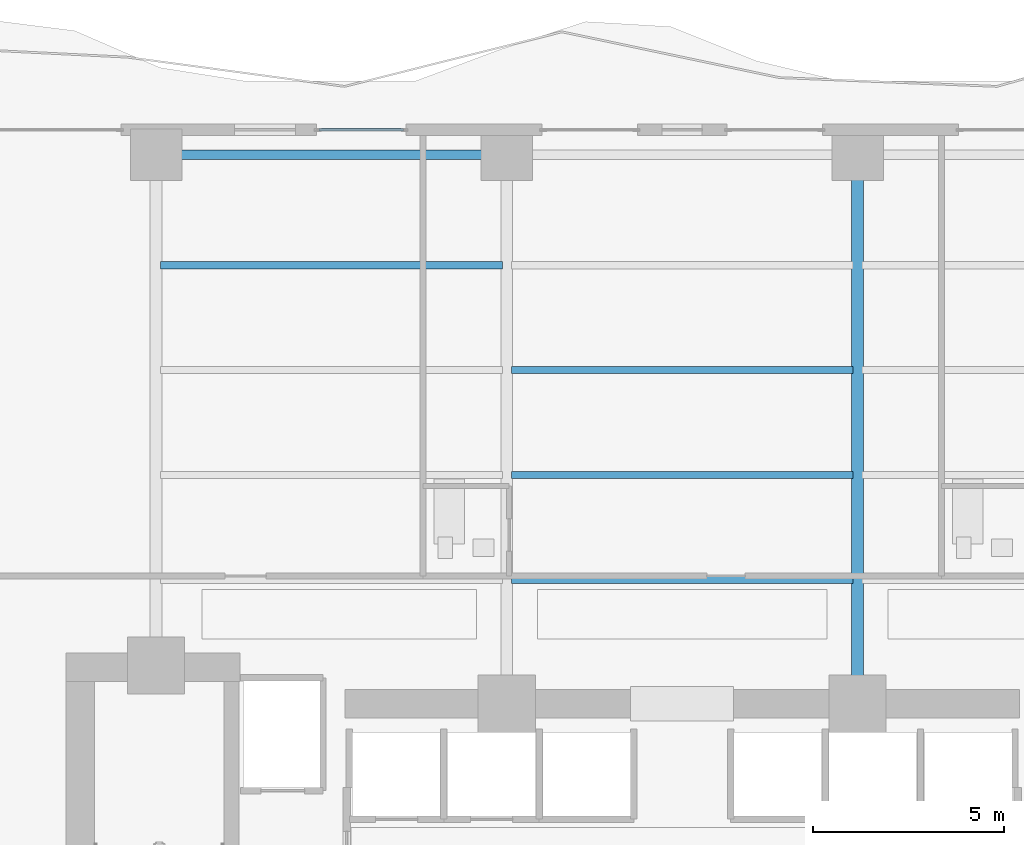
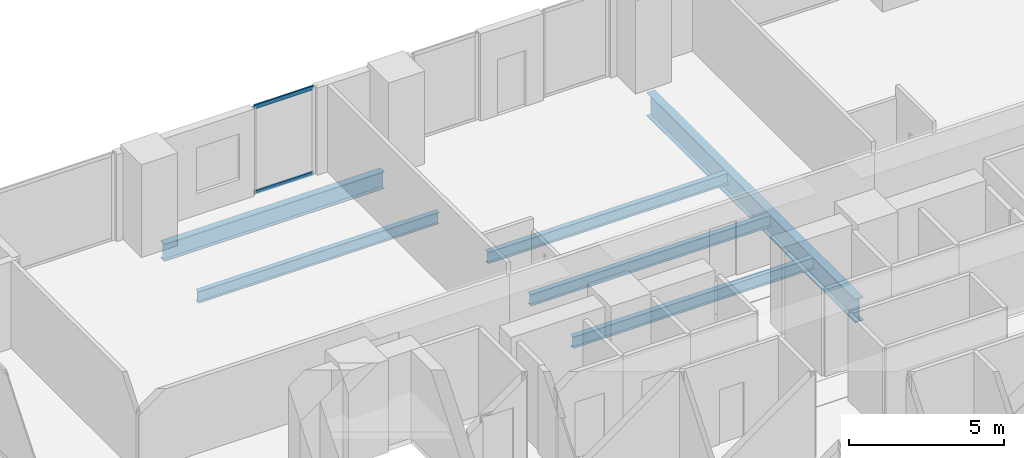
# One storey, part 16 of 28: 6 beams, 2 members, 1 element without a shape of its own.
"""IFC4 building model written with IfcOpenShell, lengths in metres."""

from ifc_helpers import new_model, si_unit, direction, frame, origin, origin_2d, place, context, subcontext, project, spatial, hollow_rectangle, i_section, extrude, material, layer, layer_set, material_profile, profile_set, type_object, element, aggregate, save


model = new_model("IFC4")

# Units and contexts
model_context = context("Model", 3, precision=1e-05, world=origin(), true_north=direction((0.0, 1.0)))
body_context = subcontext(model_context, "Body", "Model", "MODEL_VIEW")
ifc_project = project(units=[si_unit("LENGTHUNIT", "METRE"), si_unit("AREAUNIT", "SQUARE_METRE"), si_unit("VOLUMEUNIT", "CUBIC_METRE"), si_unit("PLANEANGLEUNIT", "RADIAN"), si_unit("MASSUNIT", "GRAM", prefix="KILO")], contexts=[model_context])

# Site, building, storey
site_placement = place(None, origin())
site = spatial("IfcSite", under=ifc_project, at=site_placement, CompositionType="ELEMENT")
building_placement = place(site_placement, origin())
building = spatial("IfcBuilding", under=site, at=building_placement, Name="Zuhayl Quay Hotel", CompositionType="ELEMENT")
storey_placement = place(building_placement, frame((0.0, 0.0, 139.449951171875)))
storey = spatial("IfcBuildingStorey", under=building, at=storey_placement, Name="L35", CompositionType="ELEMENT", Elevation=139.449951171875)

# Beams
ifc_material_1 = material(Name="Steel ASTM A992 Grade 50", Category="steel")
ifc_material_profile_1 = material_profile(ifc_material_1, i_section(OverallWidth=0.25390625, OverallDepth=0.68310546875, WebThickness=0.012451171875, FlangeThickness=0.018798828125, at=origin_2d()), Name="W27X94")
ifc_profile_set_1 = profile_set([ifc_material_profile_1], Name="Steel ASTM A992 Grade 50")
beam_type_1 = type_object("IfcBeamType", Name="BM_B2_W27X94", PredefinedType="BEAM", material=ifc_profile_set_1)
beam_1_placement = place(storey_placement, frame((-5.10009765625, 27.75, -0.5615234375), z_axis=(-1.0, 0.0, 0.0), x_axis=(0.0, -1.0, 0.0)))
element("IfcBeam", 1, at=beam_1_placement, inside=storey, type_object=beam_type_1, Name="L35 Floor Beam RG_L35_09", PredefinedType="BEAM", context=body_context, shape_type="SweptSolid", body=[
    extrude(i_section(OverallWidth=0.25390625, OverallDepth=0.68310546875, WebThickness=0.012451171875, FlangeThickness=0.018798828125, at=origin_2d()), origin(), (0.0, 0.0, 1.0), 8.199951171875),
])
ifc_material_profile_2 = material_profile(ifc_material_1, i_section(OverallWidth=0.18994140625, OverallDepth=0.45703125, WebThickness=0.009033203125, FlangeThickness=0.014404296875, at=origin_2d()), Name="W18X50")
ifc_profile_set_2 = profile_set([ifc_material_profile_2], Name="Steel ASTM A992 Grade 50")
beam_type_2 = type_object("IfcBeamType", Name="BM_J2_W18X50", PredefinedType="JOIST", material=ifc_profile_set_2)
for number, where, z_axis, x_axis, name in (
    (2, (-4.48095703125, 16.60009765625, -0.448486328125), (1.0, 0.0, 0.0), (0.0, 1.0, 0.0), "L35 Floor Beam FJ_L35_1_2"),
    (3, (-4.48095703125, 19.35009765625, -0.448486328125), (1.0, 0.0, 0.0), (0.0, 1.0, 0.0), "L35 Floor Beam FJ_L35_2_2"),
    (4, (-4.48095703125, 22.10009765625, -0.448486328125), (1.0, 0.0, 0.0), (0.0, 1.0, 0.0), "L35 Floor Beam FJ_L35_3_2"),
    (5, (-13.680908203125, 24.85009765625, -0.448486328125), (1.0, 0.0, 0.0), (0.0, 1.0, 0.0), "L35 Floor Beam FJ_L35_4_1"),
):
    element("IfcBeam", number, at=place(storey_placement, frame(where, z_axis=z_axis, x_axis=x_axis)), inside=storey, type_object=beam_type_2, Name=name, PredefinedType="JOIST", context=body_context, shape_type="SweptSolid", body=[
        extrude(i_section(OverallWidth=0.18994140625, OverallDepth=0.45703125, WebThickness=0.009033203125, FlangeThickness=0.014404296875, at=origin_2d()), origin(), (0.0, 0.0, 1.0), 8.9619140625),
    ])
ifc_material_profile_3 = material_profile(ifc_material_1, i_section(OverallWidth=0.306884765625, OverallDepth=0.927001953125, WebThickness=0.019287109375, FlangeThickness=0.031982421875, at=origin_2d()), Name="W36X194")
ifc_profile_set_3 = profile_set([ifc_material_profile_3], Name="Steel ASTM A992 Grade 50")
beam_type_3 = type_object("IfcBeamType", Name="BM_PG2_W36X194", PredefinedType="BEAM", material=ifc_profile_set_3)
beam_2_placement = place(storey_placement, frame((4.60009765625, 13.800048828125, -0.683349609375), z_axis=(0.0, 1.0, 0.0), x_axis=(-1.0, 0.0, 0.0)))
element("IfcBeam", 6, at=beam_2_placement, inside=storey, type_object=beam_type_3, Name="L35 Floor Beam FG_N_L35_3", PredefinedType="BEAM", context=body_context, shape_type="SweptSolid", body=[
    extrude(i_section(OverallWidth=0.306884765625, OverallDepth=0.927001953125, WebThickness=0.019287109375, FlangeThickness=0.031982421875, at=origin_2d()), origin(), (0.0, 0.0, 1.0), 13.449951171875),
])

# Curtain wall, members
ifc_material_2 = material(Name="Anodised Aluminium 6063-T6", Category="aluminium")
ifc_layer = layer(ifc_material_2, 0.179931640625, Name="Anodised Aluminium 6063-T6", Category="aluminium")
ifc_layer_set = layer_set([ifc_layer], Name="Anodised Aluminium 6063-T6")
curtain_wall_type = type_object("IfcCurtainWallType", Name="CW_SYS_Z2", PredefinedType="USERDEFINED", material=ifc_layer_set)
curtain_wall_placement = place(storey_placement, origin())
curtain_wall = element("IfcCurtainWall", 7, at=curtain_wall_placement, inside=storey, type_object=curtain_wall_type, Name="L35 Curtain Wall ENV_L35_N_CW2", ObjectType="UNITISED CURTAIN WALL", PredefinedType="USERDEFINED")
ifc_material_3 = material(Name="Black-anodised aluminium 6063-T6", Category="aluminium")
ifc_material_profile_4 = material_profile(ifc_material_3, hollow_rectangle(XDim=0.06005859375, YDim=0.14990234375, WallThickness=0.00341796875, at=origin_2d()), Name="ALU150X60")
ifc_profile_set_4 = profile_set([ifc_material_profile_4], Name="Black-anodised aluminium 6063-T6")
member_type = type_object("IfcMemberType", Name="MB_CW_TRN_150", PredefinedType="USERDEFINED", material=ifc_profile_set_4)
member_1_placement = place(storey_placement, frame((-9.52490234375, 28.39990234375, 0.030029296875), z_axis=(1.0, 0.0, 0.0), x_axis=(0.0, 1.0, 0.0)))
member_1 = element("IfcMember", 8, at=member_1_placement, type_object=member_type, Name="CW-Z2 transom 1.1", ObjectType="TRANSOM", PredefinedType="USERDEFINED", context=body_context, shape_type="SweptSolid", body=[
    extrude(hollow_rectangle(XDim=0.06005859375, YDim=0.14990234375, WallThickness=0.00341796875, at=origin_2d()), origin(), (0.0, 0.0, 1.0), 2.2099609375),
])
member_2_placement = place(storey_placement, frame((-9.52490234375, 28.39990234375, 3.400146484375), z_axis=(1.0, 0.0, 0.0), x_axis=(0.0, 1.0, 0.0)))
member_2 = element("IfcMember", 9, at=member_2_placement, type_object=member_type, Name="CW-Z2 transom 1.2", ObjectType="TRANSOM", PredefinedType="USERDEFINED", context=body_context, shape_type="SweptSolid", body=[
    extrude(hollow_rectangle(XDim=0.06005859375, YDim=0.14990234375, WallThickness=0.00341796875, at=origin_2d()), origin(), (0.0, 0.0, 1.0), 2.2099609375),
])
aggregate(curtain_wall, [member_1, member_2])

save(model, "model.ifc")
